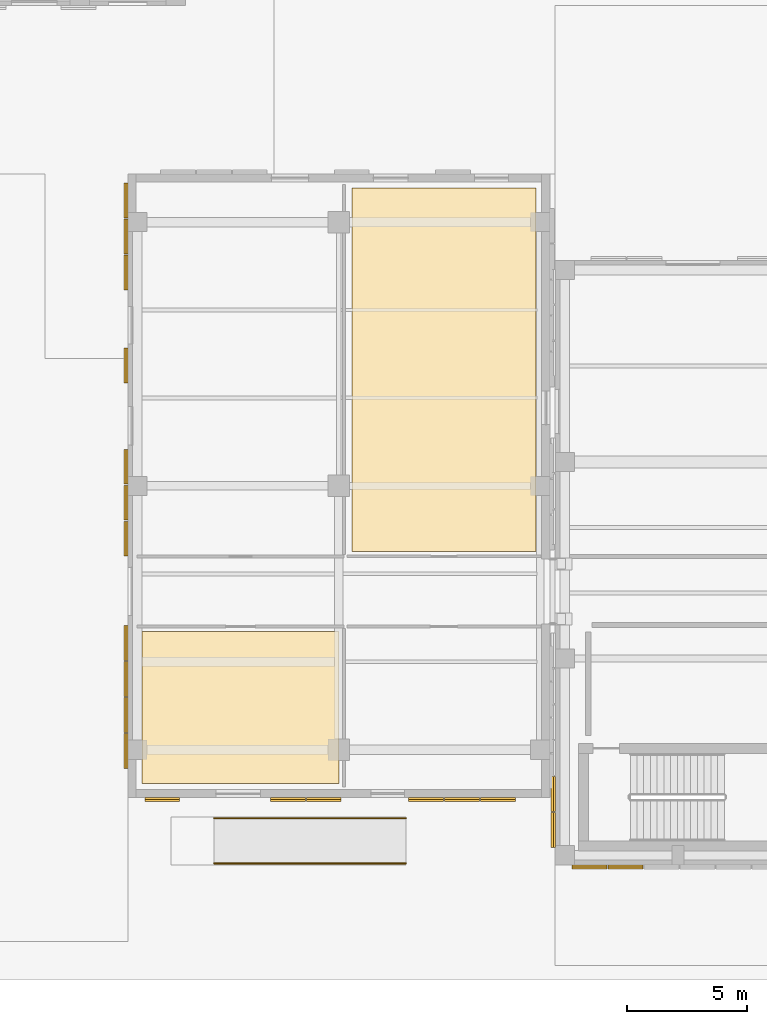
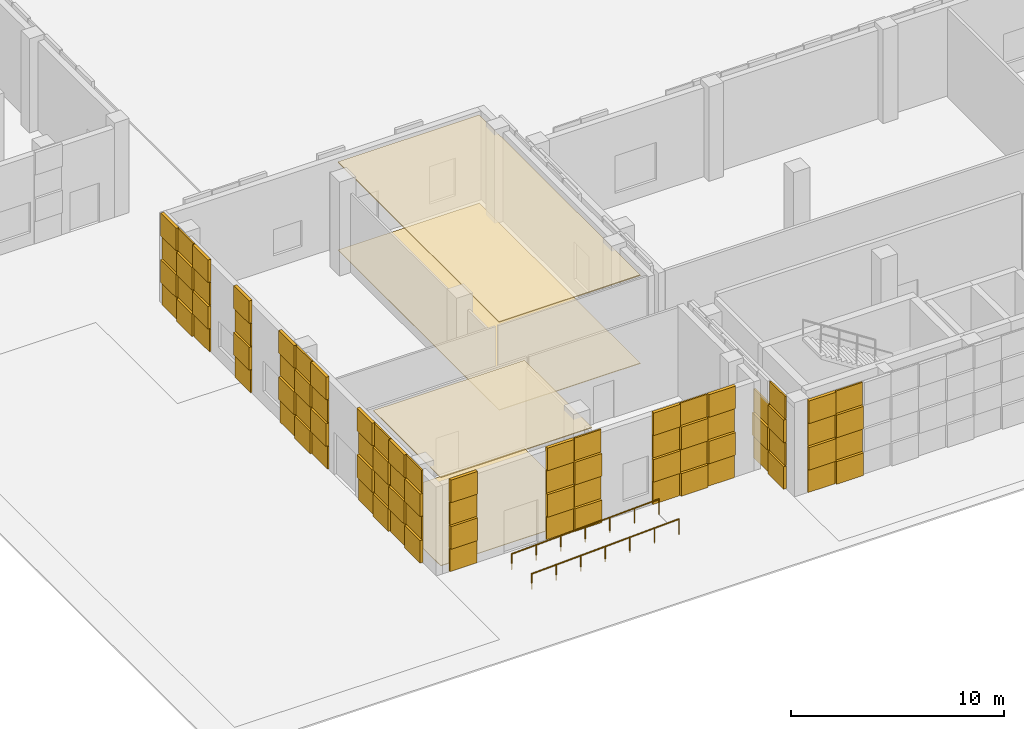
# One storey, part 20 of 40: 87 coverings, 2 railings.
"""IFC4 building model written with IfcOpenShell, lengths in metres."""

from ifc_helpers import new_model, si_unit, direction, frame, origin, origin_2d, place, context, subcontext, project, spatial, polyline, rectangle, circle, outline, extrude, material, layer, layer_set, type_object, element, save


model = new_model("IFC4")

# Units and contexts
model_context = context("Model", 3, precision=1e-05, world=origin(), true_north=direction((0.0, 1.0)))
body_context = subcontext(model_context, "Body", "Model", "MODEL_VIEW")
ifc_project = project(units=[si_unit("LENGTHUNIT", "METRE"), si_unit("AREAUNIT", "SQUARE_METRE"), si_unit("VOLUMEUNIT", "CUBIC_METRE"), si_unit("PLANEANGLEUNIT", "RADIAN"), si_unit("MASSUNIT", "GRAM", prefix="KILO")], contexts=[model_context])

# Site, building, storey
site_placement = place(None, origin())
site = spatial("IfcSite", under=ifc_project, at=site_placement, CompositionType="ELEMENT")
building_placement = place(site_placement, origin())
building = spatial("IfcBuilding", under=site, at=building_placement, Name="Qalavern Law Courts", CompositionType="ELEMENT")
storey_placement = place(building_placement, origin())
storey = spatial("IfcBuildingStorey", under=building, at=storey_placement, Name="L00", CompositionType="ELEMENT", Elevation=0.0)

# Coverings
ifc_material_1 = material(Name="Precast concrete C40/50", Category="concrete")
ifc_layer_1 = layer(ifc_material_1, 0.06005859375)
ifc_layer_set_1 = layer_set([ifc_layer_1], Name="Precast concrete C40/50")
covering_type_1 = type_object("IfcCoveringType", Name="ENV-CLD-1", PredefinedType="CLADDING", material=ifc_layer_set_1)
for number, where, z_axis, x_axis, name in (
    (1, (17.8349609375, 7.919921875, 1.385009765625), (0.0, 0.0, 1.0), (1.0, 0.0, 0.0), "Cast drop-relief street-base tile 0002"),
    (2, (23.074951171875, 7.919921875, 1.385009765625), (0.0, 0.0, 1.0), (1.0, 0.0, 0.0), "Cast drop-relief street-base tile 0006"),
    (3, (24.574951171875, 7.919921875, 0.050048828125), (0.0, 0.0, 1.0), (1.0, 0.0, 0.0), "Cast drop-relief street-base tile 0009"),
):
    element("IfcCovering", number, at=place(storey_placement, frame(where, z_axis=z_axis, x_axis=x_axis)), inside=storey, type_object=covering_type_1, Name=name, PredefinedType="CLADDING", context=body_context, shape_type="SweptSolid", body=[
        extrude(rectangle(XDim=1.449951171875, YDim=0.16796875, at=origin_2d()), origin(), (0.0, 0.0, 1.0), 1.294921875),
    ])
covering_1_placement = place(storey_placement, frame((24.574951171875, 7.9619140625, 4.054931640625), z_axis=(0.0, 0.0, 1.0), x_axis=(1.0, 0.0, 0.0)))
element("IfcCovering", 4, at=covering_1_placement, inside=storey, type_object=covering_type_1, Name="Cast drop-relief street-base tile 0012", PredefinedType="CLADDING", context=body_context, shape_type="SweptSolid", body=[
    extrude(rectangle(XDim=1.449951171875, YDim=0.083984375, at=origin_2d()), origin(), (0.0, 0.0, 1.0), 1.294921875),
])
for number, where, z_axis, x_axis, name in (
    (5, (28.8349609375, 7.919921875, 1.385009765625), (0.0, 0.0, 1.0), (1.0, 0.0, 0.0), "Cast drop-relief street-base tile 0014"),
    (6, (30.3349609375, 7.919921875, 0.050048828125), (0.0, 0.0, 1.0), (1.0, 0.0, 0.0), "Cast drop-relief street-base tile 0017"),
):
    element("IfcCovering", number, at=place(storey_placement, frame(where, z_axis=z_axis, x_axis=x_axis)), inside=storey, type_object=covering_type_1, Name=name, PredefinedType="CLADDING", context=body_context, shape_type="SweptSolid", body=[
        extrude(rectangle(XDim=1.449951171875, YDim=0.16796875, at=origin_2d()), origin(), (0.0, 0.0, 1.0), 1.294921875),
    ])
for number, where, z_axis, x_axis, name in (
    (7, (30.3349609375, 7.9619140625, 4.054931640625), (0.0, 0.0, 1.0), (1.0, 0.0, 0.0), "Cast drop-relief street-base tile 0020"),
    (8, (31.8349609375, 7.9619140625, 2.719970703125), (0.0, 0.0, 1.0), (1.0, 0.0, 0.0), "Cast drop-relief street-base tile 0023"),
):
    element("IfcCovering", number, at=place(storey_placement, frame(where, z_axis=z_axis, x_axis=x_axis)), inside=storey, type_object=covering_type_1, Name=name, PredefinedType="CLADDING", context=body_context, shape_type="SweptSolid", body=[
        extrude(rectangle(XDim=1.449951171875, YDim=0.083984375, at=origin_2d()), origin(), (0.0, 0.0, 1.0), 1.294921875),
    ])
for number, where, z_axis, x_axis, name in (
    (9, (16.320068359375, 32.89990234375, 1.385009765625), (0.0, 0.0, 1.0), (0.0, -1.0, 0.0), "Cast drop-relief street-base tile 0094"),
    (10, (16.320068359375, 31.39990234375, 0.050048828125), (0.0, 0.0, 1.0), (0.0, -1.0, 0.0), "Cast drop-relief street-base tile 0097"),
):
    element("IfcCovering", number, at=place(storey_placement, frame(where, z_axis=z_axis, x_axis=x_axis)), inside=storey, type_object=covering_type_1, Name=name, PredefinedType="CLADDING", context=body_context, shape_type="SweptSolid", body=[
        extrude(rectangle(XDim=1.449951171875, YDim=0.16796875, at=origin_2d()), origin(), (0.0, 0.0, 1.0), 1.294921875),
    ])
for number, where, z_axis, x_axis, name in (
    (11, (16.362060546875, 31.39990234375, 4.054931640625), (0.0, 0.0, 1.0), (0.0, -1.0, 0.0), "Cast drop-relief street-base tile 0100"),
    (12, (16.362060546875, 29.89990234375, 2.719970703125), (0.0, 0.0, 1.0), (0.0, -1.0, 0.0), "Cast drop-relief street-base tile 0103"),
):
    element("IfcCovering", number, at=place(storey_placement, frame(where, z_axis=z_axis, x_axis=x_axis)), inside=storey, type_object=covering_type_1, Name=name, PredefinedType="CLADDING", context=body_context, shape_type="SweptSolid", body=[
        extrude(rectangle(XDim=1.449951171875, YDim=0.083984375, at=origin_2d()), origin(), (0.0, 0.0, 1.0), 1.294921875),
    ])
for number, where, z_axis, x_axis, name in (
    (13, (16.320068359375, 26.02490234375, 1.385009765625), (0.0, 0.0, 1.0), (0.0, -1.0, 0.0), "Cast drop-relief street-base tile 0106"),
    (14, (16.320068359375, 21.800048828125, 1.385009765625), (0.0, 0.0, 1.0), (0.0, -1.0, 0.0), "Cast drop-relief street-base tile 0110"),
    (15, (16.320068359375, 20.300048828125, 0.050048828125), (0.0, 0.0, 1.0), (0.0, -1.0, 0.0), "Cast drop-relief street-base tile 0113"),
):
    element("IfcCovering", number, at=place(storey_placement, frame(where, z_axis=z_axis, x_axis=x_axis)), inside=storey, type_object=covering_type_1, Name=name, PredefinedType="CLADDING", context=body_context, shape_type="SweptSolid", body=[
        extrude(rectangle(XDim=1.449951171875, YDim=0.16796875, at=origin_2d()), origin(), (0.0, 0.0, 1.0), 1.294921875),
    ])
for number, where, z_axis, x_axis, name in (
    (16, (16.362060546875, 20.300048828125, 4.054931640625), (0.0, 0.0, 1.0), (0.0, -1.0, 0.0), "Cast drop-relief street-base tile 0116"),
    (17, (16.362060546875, 18.800048828125, 2.719970703125), (0.0, 0.0, 1.0), (0.0, -1.0, 0.0), "Cast drop-relief street-base tile 0119"),
):
    element("IfcCovering", number, at=place(storey_placement, frame(where, z_axis=z_axis, x_axis=x_axis)), inside=storey, type_object=covering_type_1, Name=name, PredefinedType="CLADDING", context=body_context, shape_type="SweptSolid", body=[
        extrude(rectangle(XDim=1.449951171875, YDim=0.083984375, at=origin_2d()), origin(), (0.0, 0.0, 1.0), 1.294921875),
    ])
for number, where, z_axis, x_axis, name in (
    (18, (16.320068359375, 14.449951171875, 1.385009765625), (0.0, 0.0, 1.0), (0.0, -1.0, 0.0), "Cast drop-relief street-base tile 0122"),
    (19, (16.320068359375, 12.949951171875, 0.050048828125), (0.0, 0.0, 1.0), (0.0, -1.0, 0.0), "Cast drop-relief street-base tile 0125"),
):
    element("IfcCovering", number, at=place(storey_placement, frame(where, z_axis=z_axis, x_axis=x_axis)), inside=storey, type_object=covering_type_1, Name=name, PredefinedType="CLADDING", context=body_context, shape_type="SweptSolid", body=[
        extrude(rectangle(XDim=1.449951171875, YDim=0.16796875, at=origin_2d()), origin(), (0.0, 0.0, 1.0), 1.294921875),
    ])
for number, where, z_axis, x_axis, name in (
    (20, (16.362060546875, 12.949951171875, 4.054931640625), (0.0, 0.0, 1.0), (0.0, -1.0, 0.0), "Cast drop-relief street-base tile 0128"),
    (21, (16.362060546875, 11.449951171875, 2.719970703125), (0.0, 0.0, 1.0), (0.0, -1.0, 0.0), "Cast drop-relief street-base tile 0131"),
    (22, (16.362060546875, 9.949951171875, 1.385009765625), (0.0, 0.0, 1.0), (0.0, -1.0, 0.0), "Cast drop-relief street-base tile 0134"),
):
    element("IfcCovering", number, at=place(storey_placement, frame(where, z_axis=z_axis, x_axis=x_axis)), inside=storey, type_object=covering_type_1, Name=name, PredefinedType="CLADDING", context=body_context, shape_type="SweptSolid", body=[
        extrude(rectangle(XDim=1.449951171875, YDim=0.083984375, at=origin_2d()), origin(), (0.0, 0.0, 1.0), 1.294921875),
    ])
for number, where, z_axis, x_axis, name in (
    (23, (35.655029296875, 5.1201171875, 1.385009765625), (0.0, 0.0, 1.0), (1.0, 0.0, 0.0), "Cast drop-relief street-base tile 0154"),
    (24, (37.155029296875, 5.1201171875, 0.050048828125), (0.0, 0.0, 1.0), (1.0, 0.0, 0.0), "Cast drop-relief street-base tile 0157"),
):
    element("IfcCovering", number, at=place(storey_placement, frame(where, z_axis=z_axis, x_axis=x_axis)), inside=storey, type_object=covering_type_1, Name=name, PredefinedType="CLADDING", context=body_context, shape_type="SweptSolid", body=[
        extrude(rectangle(XDim=1.449951171875, YDim=0.16796875, at=origin_2d()), origin(), (0.0, 0.0, 1.0), 1.294921875),
    ])
for number, where, z_axis, x_axis, name in (
    (25, (37.155029296875, 5.162109375, 4.054931640625), (0.0, 0.0, 1.0), (1.0, 0.0, 0.0), "Cast drop-relief street-base tile 0160"),
    (26, (34.181884765625, 8.14990234375, 0.050048828125), (0.0, 0.0, 1.0), (0.0, -1.0, 0.0), "Cast drop-relief street-base tile 0473"),
):
    element("IfcCovering", number, at=place(storey_placement, frame(where, z_axis=z_axis, x_axis=x_axis)), inside=storey, type_object=covering_type_1, Name=name, PredefinedType="CLADDING", context=body_context, shape_type="SweptSolid", body=[
        extrude(rectangle(XDim=1.449951171875, YDim=0.083984375, at=origin_2d()), origin(), (0.0, 0.0, 1.0), 1.294921875),
    ])
covering_2_placement = place(storey_placement, frame((34.139892578125, 6.64990234375, 2.719970703125), z_axis=(0.0, 0.0, 1.0), x_axis=(0.0, -1.0, 0.0)))
element("IfcCovering", 27, at=covering_2_placement, inside=storey, type_object=covering_type_1, Name="Cast drop-relief street-base tile 0479", PredefinedType="CLADDING", context=body_context, shape_type="SweptSolid", body=[
    extrude(rectangle(XDim=1.449951171875, YDim=0.16796875, at=origin_2d()), origin(), (0.0, 0.0, 1.0), 1.294921875),
])
ifc_layer_2 = layer(ifc_material_1, 0.072021484375)
ifc_layer_set_2 = layer_set([ifc_layer_2], Name="Precast concrete C40/50")
covering_type_2 = type_object("IfcCoveringType", Name="ENV-CLD-2", PredefinedType="CLADDING", material=ifc_layer_set_2)
for number, where, z_axis, x_axis, name in (
    (28, (17.8349609375, 7.9619140625, 2.719970703125), (0.0, 0.0, 1.0), (1.0, 0.0, 0.0), "Cast drop-relief street-base tile 0003"),
    (29, (23.074951171875, 7.9619140625, 2.719970703125), (0.0, 0.0, 1.0), (1.0, 0.0, 0.0), "Cast drop-relief street-base tile 0007"),
    (30, (24.574951171875, 7.9619140625, 1.385009765625), (0.0, 0.0, 1.0), (1.0, 0.0, 0.0), "Cast drop-relief street-base tile 0010"),
    (31, (28.8349609375, 7.9619140625, 2.719970703125), (0.0, 0.0, 1.0), (1.0, 0.0, 0.0), "Cast drop-relief street-base tile 0015"),
    (32, (30.3349609375, 7.9619140625, 1.385009765625), (0.0, 0.0, 1.0), (1.0, 0.0, 0.0), "Cast drop-relief street-base tile 0018"),
    (33, (31.8349609375, 7.9619140625, 0.050048828125), (0.0, 0.0, 1.0), (1.0, 0.0, 0.0), "Cast drop-relief street-base tile 0021"),
):
    element("IfcCovering", number, at=place(storey_placement, frame(where, z_axis=z_axis, x_axis=x_axis)), inside=storey, type_object=covering_type_2, Name=name, PredefinedType="CLADDING", context=body_context, shape_type="SweptSolid", body=[
        extrude(rectangle(XDim=1.449951171875, YDim=0.083984375, at=origin_2d()), origin(), (0.0, 0.0, 1.0), 1.294921875),
    ])
covering_3_placement = place(storey_placement, frame((31.8349609375, 7.919921875, 4.054931640625), z_axis=(0.0, 0.0, 1.0), x_axis=(1.0, 0.0, 0.0)))
element("IfcCovering", 34, at=covering_3_placement, inside=storey, type_object=covering_type_2, Name="Cast drop-relief street-base tile 0024", PredefinedType="CLADDING", context=body_context, shape_type="SweptSolid", body=[
    extrude(rectangle(XDim=1.449951171875, YDim=0.16796875, at=origin_2d()), origin(), (0.0, 0.0, 1.0), 1.294921875),
])
for number, where, z_axis, x_axis, name in (
    (35, (16.362060546875, 32.89990234375, 2.719970703125), (0.0, 0.0, 1.0), (0.0, -1.0, 0.0), "Cast drop-relief street-base tile 0095"),
    (36, (16.362060546875, 31.39990234375, 1.385009765625), (0.0, 0.0, 1.0), (0.0, -1.0, 0.0), "Cast drop-relief street-base tile 0098"),
    (37, (16.362060546875, 29.89990234375, 0.050048828125), (0.0, 0.0, 1.0), (0.0, -1.0, 0.0), "Cast drop-relief street-base tile 0101"),
):
    element("IfcCovering", number, at=place(storey_placement, frame(where, z_axis=z_axis, x_axis=x_axis)), inside=storey, type_object=covering_type_2, Name=name, PredefinedType="CLADDING", context=body_context, shape_type="SweptSolid", body=[
        extrude(rectangle(XDim=1.449951171875, YDim=0.083984375, at=origin_2d()), origin(), (0.0, 0.0, 1.0), 1.294921875),
    ])
covering_4_placement = place(storey_placement, frame((16.320068359375, 29.89990234375, 4.054931640625), z_axis=(0.0, 0.0, 1.0), x_axis=(0.0, -1.0, 0.0)))
element("IfcCovering", 38, at=covering_4_placement, inside=storey, type_object=covering_type_2, Name="Cast drop-relief street-base tile 0104", PredefinedType="CLADDING", context=body_context, shape_type="SweptSolid", body=[
    extrude(rectangle(XDim=1.449951171875, YDim=0.16796875, at=origin_2d()), origin(), (0.0, 0.0, 1.0), 1.294921875),
])
for number, where, z_axis, x_axis, name in (
    (39, (16.362060546875, 26.02490234375, 2.719970703125), (0.0, 0.0, 1.0), (0.0, -1.0, 0.0), "Cast drop-relief street-base tile 0107"),
    (40, (16.362060546875, 21.800048828125, 2.719970703125), (0.0, 0.0, 1.0), (0.0, -1.0, 0.0), "Cast drop-relief street-base tile 0111"),
    (41, (16.362060546875, 20.300048828125, 1.385009765625), (0.0, 0.0, 1.0), (0.0, -1.0, 0.0), "Cast drop-relief street-base tile 0114"),
    (42, (16.362060546875, 18.800048828125, 0.050048828125), (0.0, 0.0, 1.0), (0.0, -1.0, 0.0), "Cast drop-relief street-base tile 0117"),
):
    element("IfcCovering", number, at=place(storey_placement, frame(where, z_axis=z_axis, x_axis=x_axis)), inside=storey, type_object=covering_type_2, Name=name, PredefinedType="CLADDING", context=body_context, shape_type="SweptSolid", body=[
        extrude(rectangle(XDim=1.449951171875, YDim=0.083984375, at=origin_2d()), origin(), (0.0, 0.0, 1.0), 1.294921875),
    ])
covering_5_placement = place(storey_placement, frame((16.320068359375, 18.800048828125, 4.054931640625), z_axis=(0.0, 0.0, 1.0), x_axis=(0.0, -1.0, 0.0)))
element("IfcCovering", 43, at=covering_5_placement, inside=storey, type_object=covering_type_2, Name="Cast drop-relief street-base tile 0120", PredefinedType="CLADDING", context=body_context, shape_type="SweptSolid", body=[
    extrude(rectangle(XDim=1.449951171875, YDim=0.16796875, at=origin_2d()), origin(), (0.0, 0.0, 1.0), 1.294921875),
])
for number, where, z_axis, x_axis, name in (
    (44, (16.362060546875, 14.449951171875, 2.719970703125), (0.0, 0.0, 1.0), (0.0, -1.0, 0.0), "Cast drop-relief street-base tile 0123"),
    (45, (16.362060546875, 12.949951171875, 1.385009765625), (0.0, 0.0, 1.0), (0.0, -1.0, 0.0), "Cast drop-relief street-base tile 0126"),
    (46, (16.362060546875, 11.449951171875, 0.050048828125), (0.0, 0.0, 1.0), (0.0, -1.0, 0.0), "Cast drop-relief street-base tile 0129"),
):
    element("IfcCovering", number, at=place(storey_placement, frame(where, z_axis=z_axis, x_axis=x_axis)), inside=storey, type_object=covering_type_2, Name=name, PredefinedType="CLADDING", context=body_context, shape_type="SweptSolid", body=[
        extrude(rectangle(XDim=1.449951171875, YDim=0.083984375, at=origin_2d()), origin(), (0.0, 0.0, 1.0), 1.294921875),
    ])
for number, where, z_axis, x_axis, name in (
    (47, (16.320068359375, 11.449951171875, 4.054931640625), (0.0, 0.0, 1.0), (0.0, -1.0, 0.0), "Cast drop-relief street-base tile 0132"),
    (48, (16.320068359375, 9.949951171875, 2.719970703125), (0.0, 0.0, 1.0), (0.0, -1.0, 0.0), "Cast drop-relief street-base tile 0135"),
):
    element("IfcCovering", number, at=place(storey_placement, frame(where, z_axis=z_axis, x_axis=x_axis)), inside=storey, type_object=covering_type_2, Name=name, PredefinedType="CLADDING", context=body_context, shape_type="SweptSolid", body=[
        extrude(rectangle(XDim=1.449951171875, YDim=0.16796875, at=origin_2d()), origin(), (0.0, 0.0, 1.0), 1.294921875),
    ])
for number, where, z_axis, x_axis, name in (
    (49, (35.655029296875, 5.162109375, 2.719970703125), (0.0, 0.0, 1.0), (1.0, 0.0, 0.0), "Cast drop-relief street-base tile 0155"),
    (50, (37.155029296875, 5.162109375, 1.385009765625), (0.0, 0.0, 1.0), (1.0, 0.0, 0.0), "Cast drop-relief street-base tile 0158"),
):
    element("IfcCovering", number, at=place(storey_placement, frame(where, z_axis=z_axis, x_axis=x_axis)), inside=storey, type_object=covering_type_2, Name=name, PredefinedType="CLADDING", context=body_context, shape_type="SweptSolid", body=[
        extrude(rectangle(XDim=1.449951171875, YDim=0.083984375, at=origin_2d()), origin(), (0.0, 0.0, 1.0), 1.294921875),
    ])
for number, where, z_axis, x_axis, name in (
    (51, (34.139892578125, 8.14990234375, 1.385009765625), (0.0, 0.0, 1.0), (0.0, -1.0, 0.0), "Cast drop-relief street-base tile 0474"),
    (52, (34.139892578125, 6.64990234375, 0.050048828125), (0.0, 0.0, 1.0), (0.0, -1.0, 0.0), "Cast drop-relief street-base tile 0477"),
):
    element("IfcCovering", number, at=place(storey_placement, frame(where, z_axis=z_axis, x_axis=x_axis)), inside=storey, type_object=covering_type_2, Name=name, PredefinedType="CLADDING", context=body_context, shape_type="SweptSolid", body=[
        extrude(rectangle(XDim=1.449951171875, YDim=0.16796875, at=origin_2d()), origin(), (0.0, 0.0, 1.0), 1.294921875),
    ])
covering_6_placement = place(storey_placement, frame((34.181884765625, 6.64990234375, 4.054931640625), z_axis=(0.0, 0.0, 1.0), x_axis=(0.0, -1.0, 0.0)))
element("IfcCovering", 53, at=covering_6_placement, inside=storey, type_object=covering_type_2, Name="Cast drop-relief street-base tile 0480", PredefinedType="CLADDING", context=body_context, shape_type="SweptSolid", body=[
    extrude(rectangle(XDim=1.449951171875, YDim=0.083984375, at=origin_2d()), origin(), (0.0, 0.0, 1.0), 1.294921875),
])
ifc_layer_3 = layer(ifc_material_1, 0.083984375)
ifc_layer_set_3 = layer_set([ifc_layer_3], Name="Precast concrete C40/50")
covering_type_3 = type_object("IfcCoveringType", Name="ENV-CLD-3", PredefinedType="CLADDING", material=ifc_layer_set_3)
covering_7_placement = place(storey_placement, frame((17.8349609375, 7.9619140625, 0.050048828125), z_axis=(0.0, 0.0, 1.0), x_axis=(1.0, 0.0, 0.0)))
element("IfcCovering", 54, at=covering_7_placement, inside=storey, type_object=covering_type_3, Name="Cast drop-relief street-base tile 0001", PredefinedType="CLADDING", context=body_context, shape_type="SweptSolid", body=[
    extrude(rectangle(XDim=1.449951171875, YDim=0.083984375, at=origin_2d()), origin(), (0.0, 0.0, 1.0), 1.294921875),
])
covering_8_placement = place(storey_placement, frame((17.8349609375, 7.919921875, 4.054931640625), z_axis=(0.0, 0.0, 1.0), x_axis=(1.0, 0.0, 0.0)))
element("IfcCovering", 55, at=covering_8_placement, inside=storey, type_object=covering_type_3, Name="Cast drop-relief street-base tile 0004", PredefinedType="CLADDING", context=body_context, shape_type="SweptSolid", body=[
    extrude(rectangle(XDim=1.449951171875, YDim=0.16796875, at=origin_2d()), origin(), (0.0, 0.0, 1.0), 1.294921875),
])
covering_9_placement = place(storey_placement, frame((23.074951171875, 7.9619140625, 0.050048828125), z_axis=(0.0, 0.0, 1.0), x_axis=(1.0, 0.0, 0.0)))
element("IfcCovering", 56, at=covering_9_placement, inside=storey, type_object=covering_type_3, Name="Cast drop-relief street-base tile 0005", PredefinedType="CLADDING", context=body_context, shape_type="SweptSolid", body=[
    extrude(rectangle(XDim=1.449951171875, YDim=0.083984375, at=origin_2d()), origin(), (0.0, 0.0, 1.0), 1.294921875),
])
for number, where, z_axis, x_axis, name in (
    (57, (23.074951171875, 7.919921875, 4.054931640625), (0.0, 0.0, 1.0), (1.0, 0.0, 0.0), "Cast drop-relief street-base tile 0008"),
    (58, (24.574951171875, 7.919921875, 2.719970703125), (0.0, 0.0, 1.0), (1.0, 0.0, 0.0), "Cast drop-relief street-base tile 0011"),
):
    element("IfcCovering", number, at=place(storey_placement, frame(where, z_axis=z_axis, x_axis=x_axis)), inside=storey, type_object=covering_type_3, Name=name, PredefinedType="CLADDING", context=body_context, shape_type="SweptSolid", body=[
        extrude(rectangle(XDim=1.449951171875, YDim=0.16796875, at=origin_2d()), origin(), (0.0, 0.0, 1.0), 1.294921875),
    ])
covering_10_placement = place(storey_placement, frame((28.8349609375, 7.9619140625, 0.050048828125), z_axis=(0.0, 0.0, 1.0), x_axis=(1.0, 0.0, 0.0)))
element("IfcCovering", 59, at=covering_10_placement, inside=storey, type_object=covering_type_3, Name="Cast drop-relief street-base tile 0013", PredefinedType="CLADDING", context=body_context, shape_type="SweptSolid", body=[
    extrude(rectangle(XDim=1.449951171875, YDim=0.083984375, at=origin_2d()), origin(), (0.0, 0.0, 1.0), 1.294921875),
])
for number, where, z_axis, x_axis, name in (
    (60, (28.8349609375, 7.919921875, 4.054931640625), (0.0, 0.0, 1.0), (1.0, 0.0, 0.0), "Cast drop-relief street-base tile 0016"),
    (61, (30.3349609375, 7.919921875, 2.719970703125), (0.0, 0.0, 1.0), (1.0, 0.0, 0.0), "Cast drop-relief street-base tile 0019"),
    (62, (31.8349609375, 7.919921875, 1.385009765625), (0.0, 0.0, 1.0), (1.0, 0.0, 0.0), "Cast drop-relief street-base tile 0022"),
):
    element("IfcCovering", number, at=place(storey_placement, frame(where, z_axis=z_axis, x_axis=x_axis)), inside=storey, type_object=covering_type_3, Name=name, PredefinedType="CLADDING", context=body_context, shape_type="SweptSolid", body=[
        extrude(rectangle(XDim=1.449951171875, YDim=0.16796875, at=origin_2d()), origin(), (0.0, 0.0, 1.0), 1.294921875),
    ])
covering_11_placement = place(storey_placement, frame((16.362060546875, 32.89990234375, 0.050048828125), z_axis=(0.0, 0.0, 1.0), x_axis=(0.0, -1.0, 0.0)))
element("IfcCovering", 63, at=covering_11_placement, inside=storey, type_object=covering_type_3, Name="Cast drop-relief street-base tile 0093", PredefinedType="CLADDING", context=body_context, shape_type="SweptSolid", body=[
    extrude(rectangle(XDim=1.449951171875, YDim=0.083984375, at=origin_2d()), origin(), (0.0, 0.0, 1.0), 1.294921875),
])
for number, where, z_axis, x_axis, name in (
    (64, (16.320068359375, 32.89990234375, 4.054931640625), (0.0, 0.0, 1.0), (0.0, -1.0, 0.0), "Cast drop-relief street-base tile 0096"),
    (65, (16.320068359375, 31.39990234375, 2.719970703125), (0.0, 0.0, 1.0), (0.0, -1.0, 0.0), "Cast drop-relief street-base tile 0099"),
    (66, (16.320068359375, 29.89990234375, 1.385009765625), (0.0, 0.0, 1.0), (0.0, -1.0, 0.0), "Cast drop-relief street-base tile 0102"),
):
    element("IfcCovering", number, at=place(storey_placement, frame(where, z_axis=z_axis, x_axis=x_axis)), inside=storey, type_object=covering_type_3, Name=name, PredefinedType="CLADDING", context=body_context, shape_type="SweptSolid", body=[
        extrude(rectangle(XDim=1.449951171875, YDim=0.16796875, at=origin_2d()), origin(), (0.0, 0.0, 1.0), 1.294921875),
    ])
covering_12_placement = place(storey_placement, frame((16.362060546875, 26.02490234375, 0.050048828125), z_axis=(0.0, 0.0, 1.0), x_axis=(0.0, -1.0, 0.0)))
element("IfcCovering", 67, at=covering_12_placement, inside=storey, type_object=covering_type_3, Name="Cast drop-relief street-base tile 0105", PredefinedType="CLADDING", context=body_context, shape_type="SweptSolid", body=[
    extrude(rectangle(XDim=1.449951171875, YDim=0.083984375, at=origin_2d()), origin(), (0.0, 0.0, 1.0), 1.294921875),
])
covering_13_placement = place(storey_placement, frame((16.320068359375, 26.02490234375, 4.054931640625), z_axis=(0.0, 0.0, 1.0), x_axis=(0.0, -1.0, 0.0)))
element("IfcCovering", 68, at=covering_13_placement, inside=storey, type_object=covering_type_3, Name="Cast drop-relief street-base tile 0108", PredefinedType="CLADDING", context=body_context, shape_type="SweptSolid", body=[
    extrude(rectangle(XDim=1.449951171875, YDim=0.16796875, at=origin_2d()), origin(), (0.0, 0.0, 1.0), 1.294921875),
])
covering_14_placement = place(storey_placement, frame((16.362060546875, 21.800048828125, 0.050048828125), z_axis=(0.0, 0.0, 1.0), x_axis=(0.0, -1.0, 0.0)))
element("IfcCovering", 69, at=covering_14_placement, inside=storey, type_object=covering_type_3, Name="Cast drop-relief street-base tile 0109", PredefinedType="CLADDING", context=body_context, shape_type="SweptSolid", body=[
    extrude(rectangle(XDim=1.449951171875, YDim=0.083984375, at=origin_2d()), origin(), (0.0, 0.0, 1.0), 1.294921875),
])
for number, where, z_axis, x_axis, name in (
    (70, (16.320068359375, 21.800048828125, 4.054931640625), (0.0, 0.0, 1.0), (0.0, -1.0, 0.0), "Cast drop-relief street-base tile 0112"),
    (71, (16.320068359375, 20.300048828125, 2.719970703125), (0.0, 0.0, 1.0), (0.0, -1.0, 0.0), "Cast drop-relief street-base tile 0115"),
    (72, (16.320068359375, 18.800048828125, 1.385009765625), (0.0, 0.0, 1.0), (0.0, -1.0, 0.0), "Cast drop-relief street-base tile 0118"),
):
    element("IfcCovering", number, at=place(storey_placement, frame(where, z_axis=z_axis, x_axis=x_axis)), inside=storey, type_object=covering_type_3, Name=name, PredefinedType="CLADDING", context=body_context, shape_type="SweptSolid", body=[
        extrude(rectangle(XDim=1.449951171875, YDim=0.16796875, at=origin_2d()), origin(), (0.0, 0.0, 1.0), 1.294921875),
    ])
covering_15_placement = place(storey_placement, frame((16.362060546875, 14.449951171875, 0.050048828125), z_axis=(0.0, 0.0, 1.0), x_axis=(0.0, -1.0, 0.0)))
element("IfcCovering", 73, at=covering_15_placement, inside=storey, type_object=covering_type_3, Name="Cast drop-relief street-base tile 0121", PredefinedType="CLADDING", context=body_context, shape_type="SweptSolid", body=[
    extrude(rectangle(XDim=1.449951171875, YDim=0.083984375, at=origin_2d()), origin(), (0.0, 0.0, 1.0), 1.294921875),
])
for number, where, z_axis, x_axis, name in (
    (74, (16.320068359375, 14.449951171875, 4.054931640625), (0.0, 0.0, 1.0), (0.0, -1.0, 0.0), "Cast drop-relief street-base tile 0124"),
    (75, (16.320068359375, 12.949951171875, 2.719970703125), (0.0, 0.0, 1.0), (0.0, -1.0, 0.0), "Cast drop-relief street-base tile 0127"),
    (76, (16.320068359375, 11.449951171875, 1.385009765625), (0.0, 0.0, 1.0), (0.0, -1.0, 0.0), "Cast drop-relief street-base tile 0130"),
    (77, (16.320068359375, 9.949951171875, 0.050048828125), (0.0, 0.0, 1.0), (0.0, -1.0, 0.0), "Cast drop-relief street-base tile 0133"),
):
    element("IfcCovering", number, at=place(storey_placement, frame(where, z_axis=z_axis, x_axis=x_axis)), inside=storey, type_object=covering_type_3, Name=name, PredefinedType="CLADDING", context=body_context, shape_type="SweptSolid", body=[
        extrude(rectangle(XDim=1.449951171875, YDim=0.16796875, at=origin_2d()), origin(), (0.0, 0.0, 1.0), 1.294921875),
    ])
for number, where, z_axis, x_axis, name in (
    (78, (16.362060546875, 9.949951171875, 4.054931640625), (0.0, 0.0, 1.0), (0.0, -1.0, 0.0), "Cast drop-relief street-base tile 0136"),
    (79, (35.655029296875, 5.162109375, 0.050048828125), (0.0, 0.0, 1.0), (1.0, 0.0, 0.0), "Cast drop-relief street-base tile 0153"),
):
    element("IfcCovering", number, at=place(storey_placement, frame(where, z_axis=z_axis, x_axis=x_axis)), inside=storey, type_object=covering_type_3, Name=name, PredefinedType="CLADDING", context=body_context, shape_type="SweptSolid", body=[
        extrude(rectangle(XDim=1.449951171875, YDim=0.083984375, at=origin_2d()), origin(), (0.0, 0.0, 1.0), 1.294921875),
    ])
for number, where, z_axis, x_axis, name in (
    (80, (35.655029296875, 5.1201171875, 4.054931640625), (0.0, 0.0, 1.0), (1.0, 0.0, 0.0), "Cast drop-relief street-base tile 0156"),
    (81, (37.155029296875, 5.1201171875, 2.719970703125), (0.0, 0.0, 1.0), (1.0, 0.0, 0.0), "Cast drop-relief street-base tile 0159"),
):
    element("IfcCovering", number, at=place(storey_placement, frame(where, z_axis=z_axis, x_axis=x_axis)), inside=storey, type_object=covering_type_3, Name=name, PredefinedType="CLADDING", context=body_context, shape_type="SweptSolid", body=[
        extrude(rectangle(XDim=1.449951171875, YDim=0.16796875, at=origin_2d()), origin(), (0.0, 0.0, 1.0), 1.294921875),
    ])
for number, where, z_axis, x_axis, name in (
    (82, (34.181884765625, 8.14990234375, 2.719970703125), (0.0, 0.0, 1.0), (0.0, -1.0, 0.0), "Cast drop-relief street-base tile 0475"),
    (83, (34.181884765625, 6.64990234375, 1.385009765625), (0.0, 0.0, 1.0), (0.0, -1.0, 0.0), "Cast drop-relief street-base tile 0478"),
):
    element("IfcCovering", number, at=place(storey_placement, frame(where, z_axis=z_axis, x_axis=x_axis)), inside=storey, type_object=covering_type_3, Name=name, PredefinedType="CLADDING", context=body_context, shape_type="SweptSolid", body=[
        extrude(rectangle(XDim=1.449951171875, YDim=0.083984375, at=origin_2d()), origin(), (0.0, 0.0, 1.0), 1.294921875),
    ])
ifc_material_2 = material(Name="Perforated gypsum and mineral-wool acoustic ceiling")
ifc_layer_4 = layer(ifc_material_2, 0.0458984375)
ifc_layer_set_4 = layer_set([ifc_layer_4], Name="Perforated gypsum and mineral-wool acoustic ceiling")
covering_type_4 = type_object("IfcCoveringType", Name="INT-CEIL-2", PredefinedType="CEILING", material=ifc_layer_set_4)
covering_16_placement = place(storey_placement, frame((0.0, 0.0, 5.053955078125)))
element("IfcCovering", 84, at=covering_16_placement, inside=storey, type_object=covering_type_4, Name="Security Screening Foyer acoustic ceiling L00", PredefinedType="CEILING", context=body_context, shape_type="SweptSolid", body=[
    extrude(outline(polyline([(16.989990234375, 8.590087890625), (25.205078125, 8.590087890625), (25.205078125, 14.929931640625), (16.989990234375, 14.929931640625), (16.989990234375, 8.590087890625)])), origin(), (0.0, 0.0, 1.0), 0.046142578125),
])
ifc_material_3 = material(Name="Slatted oak acoustic timber baffle ceiling", Category="wood")
ifc_layer_5 = layer(ifc_material_3, 0.055908203125)
ifc_layer_set_5 = layer_set([ifc_layer_5], Name="Slatted oak acoustic timber baffle ceiling")
covering_type_5 = type_object("IfcCoveringType", Name="INT-CEIL-3", PredefinedType="CEILING", material=ifc_layer_set_5)
covering_17_placement = place(storey_placement, frame((0.0, 0.0, 5.0439453125)))
element("IfcCovering", 85, at=covering_17_placement, inside=storey, type_object=covering_type_5, Name="Security Screening Foyer acoustic ceiling L00", PredefinedType="CEILING", context=body_context, shape_type="SweptSolid", body=[
    extrude(outline(polyline([(25.7451171875, 18.27001953125), (33.409912109375, 18.27001953125), (33.409912109375, 33.409912109375), (25.7451171875, 33.409912109375), (25.7451171875, 18.27001953125)])), origin(), (0.0, 0.0, 1.0), 0.05615234375),
])
ifc_material_4 = material(Name="Polished Absheron stone terrazzo flooring", Category="masonry")
ifc_layer_6 = layer(ifc_material_4, 0.030029296875)
ifc_layer_set_6 = layer_set([ifc_layer_6], Name="Polished Absheron stone terrazzo flooring")
covering_type_6 = type_object("IfcCoveringType", Name="INT-FLR-2", PredefinedType="FLOORING", material=ifc_layer_set_6)
covering_18_placement = place(storey_placement, origin())
element("IfcCovering", 86, at=covering_18_placement, inside=storey, type_object=covering_type_6, Name="Security Screening Foyer finish flooring L00", PredefinedType="FLOORING", context=body_context, shape_type="SweptSolid", body=[
    extrude(outline(polyline([(16.989990234375, 8.590087890625), (25.205078125, 8.590087890625), (25.205078125, 14.929931640625), (16.989990234375, 14.929931640625), (16.989990234375, 8.590087890625)])), origin(), (0.0, 0.0, 1.0), 0.030029296875),
])
ifc_material_5 = material(Name="Acoustic engineered oak courtroom flooring")
ifc_layer_7 = layer(ifc_material_5, 0.0380859375)
ifc_layer_set_7 = layer_set([ifc_layer_7], Name="Acoustic engineered oak courtroom flooring")
covering_type_7 = type_object("IfcCoveringType", Name="INT-FLR-3", PredefinedType="FLOORING", material=ifc_layer_set_7)
covering_19_placement = place(storey_placement, origin())
element("IfcCovering", 87, at=covering_19_placement, inside=storey, type_object=covering_type_7, Name="Security Screening Foyer finish flooring L00", PredefinedType="FLOORING", context=body_context, shape_type="SweptSolid", body=[
    extrude(outline(polyline([(25.7451171875, 18.27001953125), (33.409912109375, 18.27001953125), (33.409912109375, 33.409912109375), (25.7451171875, 33.409912109375), (25.7451171875, 18.27001953125)])), origin(), (0.0, 0.0, 1.0), 0.0380859375),
])

# Railings
ifc_material_6 = material(Name="Steel S355", Category="steel")
railing_type = type_object("IfcRailingType", Name="INT-HRAIL-900", PredefinedType="HANDRAIL", material=ifc_material_6)
for number, where, name in (
    (88, (20.0, 5.260009765625, -0.35009765625), "Southwest Plaza Accessible Pedestrian Ramp handrail 1"),
    (89, (20.0, 7.139892578125, -0.35009765625), "Southwest Plaza Accessible Pedestrian Ramp handrail 2"),
):
    element("IfcRailing", number, at=place(storey_placement, frame(where)), inside=storey, type_object=railing_type, Name=name, PredefinedType="HANDRAIL", context=body_context, shape_type="SweptSolid", body=[
        extrude(circle(Radius=0.02392578125, at=origin_2d()), frame((0.0, 0.0, 0.8759765625), z_axis=(0.999043807824, 0.0, 0.043720361951), x_axis=(0.0, 1.0, 0.0)), (0.0, 0.0, 1.0), 8.007568359375),
        extrude(circle(Radius=0.02099609375, at=origin_2d()), origin(), (0.0, 0.0, 1.0), 0.851806640625),
        extrude(circle(Radius=0.02099609375, at=origin_2d()), frame((1.333251953125, 0.0, 0.058349609375)), (0.0, 0.0, 1.0), 0.851806640625),
        extrude(circle(Radius=0.02099609375, at=origin_2d()), frame((2.666748046875, 0.0, 0.11669921875)), (0.0, 0.0, 1.0), 0.851806640625),
        extrude(circle(Radius=0.02099609375, at=origin_2d()), frame((4.0, 0.0, 0.175048828125)), (0.0, 0.0, 1.0), 0.851806640625),
        extrude(circle(Radius=0.02099609375, at=origin_2d()), frame((5.333251953125, 0.0, 0.2333984375)), (0.0, 0.0, 1.0), 0.851806640625),
        extrude(circle(Radius=0.02099609375, at=origin_2d()), frame((6.666748046875, 0.0, 0.291748046875)), (0.0, 0.0, 1.0), 0.851806640625),
        extrude(circle(Radius=0.02099609375, at=origin_2d()), frame((8.0, 0.0, 0.35009765625)), (0.0, 0.0, 1.0), 0.851806640625),
    ])

save(model, "model.ifc")
